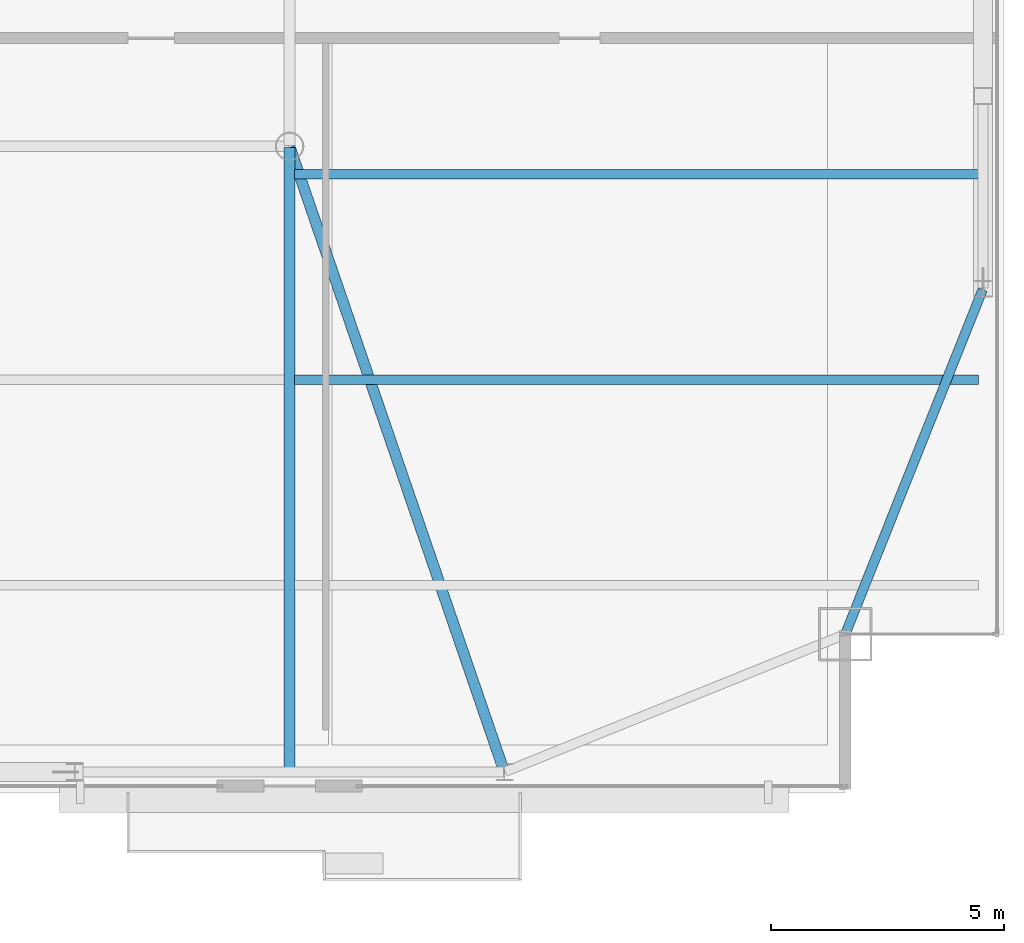
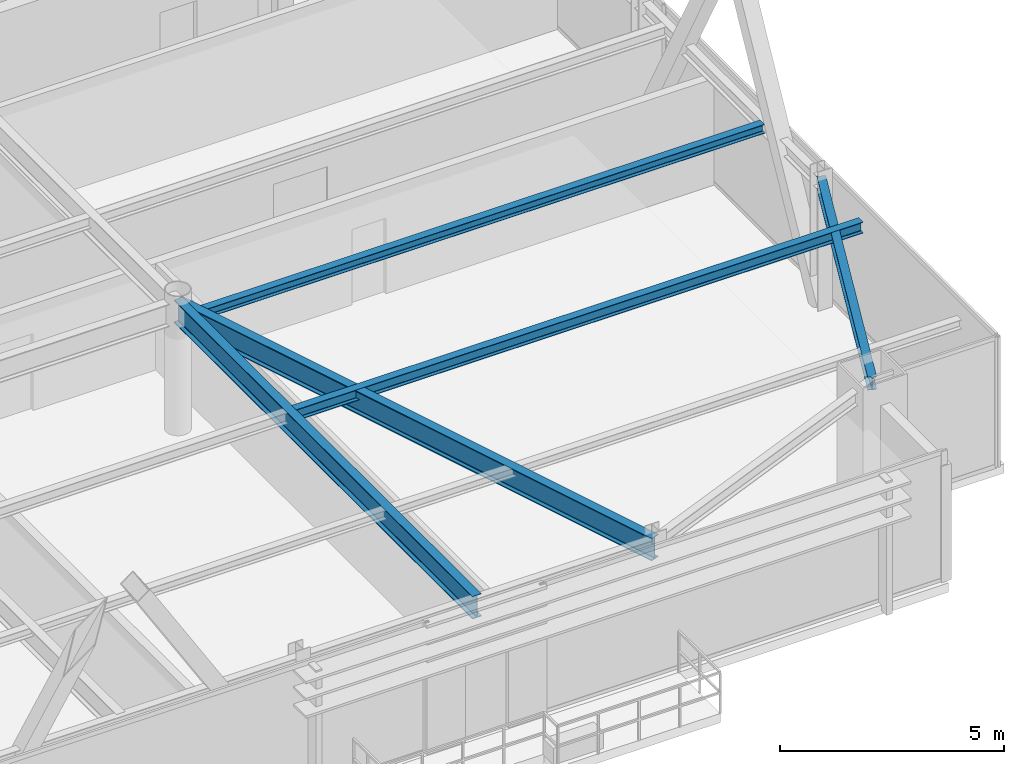
# One storey, part 16 of 31: 5 beams.
"""IFC4 building model written with IfcOpenShell, lengths in metres."""

from ifc_helpers import new_model, si_unit, direction, frame, origin, origin_2d, place, context, subcontext, project, spatial, i_section, extrude, source, transform, mapped, material, material_profile, profile_set, type_object, type_shapes, element, save


model = new_model("IFC4")

# Units and contexts
model_context = context("Model", 3, precision=1e-05, world=origin(), true_north=direction((0.0, 1.0)))
body_context = subcontext(model_context, "Body", "Model", "MODEL_VIEW")
ifc_project = project(units=[si_unit("LENGTHUNIT", "METRE"), si_unit("AREAUNIT", "SQUARE_METRE"), si_unit("VOLUMEUNIT", "CUBIC_METRE"), si_unit("PLANEANGLEUNIT", "RADIAN"), si_unit("MASSUNIT", "GRAM", prefix="KILO")], contexts=[model_context])

# Site, building, storey
site_placement = place(None, origin())
site = spatial("IfcSite", under=ifc_project, at=site_placement, CompositionType="ELEMENT")
building_placement = place(site_placement, origin())
building = spatial("IfcBuilding", under=site, at=building_placement, Name="Varnel Quay Broadcast Tower", CompositionType="ELEMENT")
storey_placement = place(building_placement, frame((0.0, 0.0, 239.39990234375)))
storey = spatial("IfcBuildingStorey", under=building, at=storey_placement, Name="L59", CompositionType="ELEMENT", Elevation=239.39990234375)

# Beams
ifc_material = material(Name="Structural Steel CSA G40.21 350W", Category="steel")
ifc_material_profile_1 = material_profile(ifc_material, i_section(OverallWidth=0.205078125, OverallDepth=0.35400390625, WebThickness=0.009521484375, FlangeThickness=0.016845703125, FilletRadius=0.012939453125, at=origin_2d()), Name="W360X79")
ifc_profile_set_1 = profile_set([ifc_material_profile_1], Name="Structural Steel CSA G40.21 350W")
beam_type_1 = type_object("IfcBeamType", Name="Beam_W360X79", PredefinedType="SPANDREL", material=ifc_profile_set_1)
shared_shape_1 = source(origin(), body_context, "Body", "SweptSolid", [
    extrude(i_section(OverallWidth=0.205078125, OverallDepth=0.35400390625, WebThickness=0.009521484375, FlangeThickness=0.016845703125, FilletRadius=0.012939453125, at=origin_2d()), origin(), (0.0, 0.0, 1.0), 7.92626953125),
])
type_shapes(beam_type_1, [shared_shape_1])
beam_1_placement = place(storey_placement, frame((55.107421875, 13.61865234375, 3.373046875), z_axis=(0.370296431883, 0.928913641053, 0.0), x_axis=(-0.928913641053, 0.370296431883, 0.0)))
element("IfcBeam", 1, at=beam_1_placement, inside=storey, type_object=beam_type_1, Name="L59 East Spandrel MC-SE-TC-E1", PredefinedType="SPANDREL", context=body_context, shape_type="MappedRepresentation", body=[
    mapped(shared_shape_1, transform((0.0, 0.0, 0.0), x_axis=(1.0, 0.0, 0.0), y_axis=(0.0, 1.0, 0.0), z_axis=(0.0, 0.0, 1.0), scale=1.0)),
])
ifc_material_profile_2 = material_profile(ifc_material, i_section(OverallWidth=0.22998046875, OverallDepth=0.616943359375, WebThickness=0.01318359375, FlangeThickness=0.022216796875, FilletRadius=0.01611328125, at=origin_2d()), Name="W610X140")
ifc_profile_set_2 = profile_set([ifc_material_profile_2], Name="Structural Steel CSA G40.21 350W")
beam_type_2 = type_object("IfcBeamType", Name="Girder_W610X140", PredefinedType="BEAM", material=ifc_profile_set_2)
shared_shape_2 = source(origin(), body_context, "Body", "SweptSolid", [
    extrude(i_section(OverallWidth=0.22998046875, OverallDepth=0.616943359375, WebThickness=0.01318359375, FlangeThickness=0.022216796875, FilletRadius=0.01611328125, at=origin_2d()), origin(), (0.0, 0.0, 1.0), 14.12744140625),
])
beam_2_placement = place(storey_placement, frame((47.79345703125, 10.6689453125, 3.24169921875), z_axis=(-0.324681288447, 0.945823482967, 0.0), x_axis=(-0.945823482967, -0.324681288447, 0.0)))
element("IfcBeam", 2, at=beam_2_placement, inside=storey, type_object=beam_type_2, Name="L59 Primary Girder TC-S4-IC-02", PredefinedType="BEAM", context=body_context, shape_type="MappedRepresentation", body=[
    mapped(shared_shape_2, transform((0.0, 0.0, 0.0), x_axis=(1.0, 0.0, 0.0), y_axis=(0.0, 1.0, 0.0), z_axis=(0.0, 0.0, 1.0), scale=1.0)),
])
shared_shape_3 = source(origin(), body_context, "Body", "SweptSolid", [
    extrude(i_section(OverallWidth=0.22998046875, OverallDepth=0.616943359375, WebThickness=0.01318359375, FlangeThickness=0.022216796875, FilletRadius=0.01611328125, at=origin_2d()), origin(), (0.0, 0.0, 1.0), 13.360107421875),
])
type_shapes(beam_type_2, [shared_shape_2, shared_shape_3])
beam_3_placement = place(storey_placement, frame((43.199951171875, 10.669921875, 3.24169921875), z_axis=(0.0, 1.0, 0.0), x_axis=(-1.0, 0.0, 0.0)))
element("IfcBeam", 3, at=beam_3_placement, inside=storey, type_object=beam_type_2, Name="L59 N-S Joist Header IC-02S", PredefinedType="BEAM", context=body_context, shape_type="MappedRepresentation", body=[
    mapped(shared_shape_3, transform((0.0, 0.0, 0.0), x_axis=(1.0, 0.0, 0.0), y_axis=(0.0, 1.0, 0.0), z_axis=(0.0, 0.0, 1.0), scale=1.0)),
])
ifc_material_profile_3 = material_profile(ifc_material, i_section(OverallWidth=0.201904296875, OverallDepth=0.2470703125, WebThickness=0.00732421875, FlangeThickness=0.010986328125, FilletRadius=0.010986328125, at=origin_2d()), Name="W250X49")
ifc_profile_set_3 = profile_set([ifc_material_profile_3], Name="Structural Steel CSA G40.21 350W")
beam_type_3 = type_object("IfcBeamType", Name="Beam_W250X49", PredefinedType="JOIST", material=ifc_profile_set_3)
shared_shape_4 = source(origin(), body_context, "Body", "SweptSolid", [
    extrude(i_section(OverallWidth=0.201904296875, OverallDepth=0.2470703125, WebThickness=0.00732421875, FlangeThickness=0.010986328125, FilletRadius=0.010986328125, at=origin_2d()), origin(), (0.0, 0.0, 1.0), 14.642333984375),
])
type_shapes(beam_type_3, [shared_shape_4])
beam_4_placement = place(storey_placement, frame((43.31005859375, 23.449951171875, 3.426513671875), z_axis=(1.0, 0.0, 0.0), x_axis=(0.0, 1.0, 0.0)))
element("IfcBeam", 4, at=beam_4_placement, inside=storey, type_object=beam_type_3, Name="L59 East Floor Joist 3", PredefinedType="JOIST", context=body_context, shape_type="MappedRepresentation", body=[
    mapped(shared_shape_4, transform((0.0, 0.0, 0.0), x_axis=(1.0, 0.0, 0.0), y_axis=(0.0, 1.0, 0.0), z_axis=(0.0, 0.0, 1.0), scale=1.0)),
])
ifc_material_profile_4 = material_profile(ifc_material, i_section(OverallWidth=0.202880859375, OverallDepth=0.302978515625, WebThickness=0.007568359375, FlangeThickness=0.01318359375, FilletRadius=0.011962890625, at=origin_2d()), Name="W310X60")
ifc_profile_set_4 = profile_set([ifc_material_profile_4], Name="Structural Steel CSA G40.21 350W")
beam_type_4 = type_object("IfcBeamType", Name="Beam_W310X60", PredefinedType="JOIST", material=ifc_profile_set_4)
shared_shape_5 = source(origin(), body_context, "Body", "SweptSolid", [
    extrude(i_section(OverallWidth=0.202880859375, OverallDepth=0.302978515625, WebThickness=0.007568359375, FlangeThickness=0.01318359375, FilletRadius=0.011962890625, at=origin_2d()), origin(), (0.0, 0.0, 1.0), 14.642333984375),
])
type_shapes(beam_type_4, [shared_shape_5])
beam_5_placement = place(storey_placement, frame((43.31005859375, 19.050048828125, 3.398681640625), z_axis=(1.0, 0.0, 0.0), x_axis=(0.0, 1.0, 0.0)))
element("IfcBeam", 5, at=beam_5_placement, inside=storey, type_object=beam_type_4, Name="L59 East Floor Joist 2", PredefinedType="JOIST", context=body_context, shape_type="MappedRepresentation", body=[
    mapped(shared_shape_5, transform((0.0, 0.0, 0.0), x_axis=(1.0, 0.0, 0.0), y_axis=(0.0, 1.0, 0.0), z_axis=(0.0, 0.0, 1.0), scale=1.0)),
])

save(model, "model.ifc")
